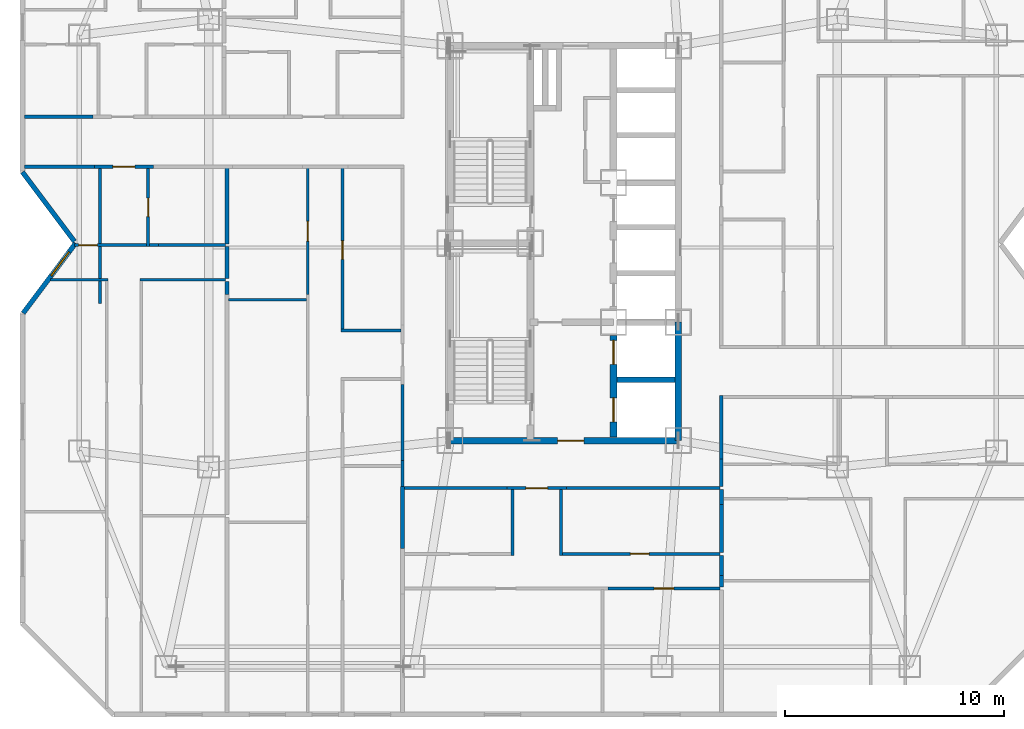
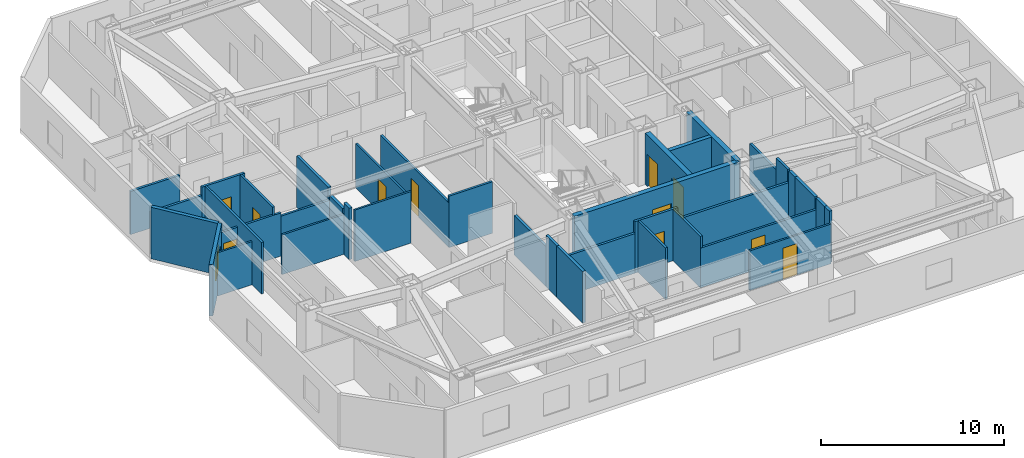
# One storey, part 6 of 11: 38 walls, 11 doors, 1 window, 12 openings.
"""IFC4 building model written with IfcOpenShell, lengths in metres."""

from ifc_helpers import new_model, si_unit, direction, frame, frame_2d, origin, place, context, subcontext, project, spatial, rectangle, extrude, material, layer, layer_set, type_object, element, fill, save


model = new_model("IFC4")

# Units and contexts
model_context = context("Model", 3, precision=1e-05, world=origin(), true_north=direction((0.0, 1.0)))
body_context = subcontext(model_context, "Body", "Model", "MODEL_VIEW")
ifc_project = project(units=[si_unit("LENGTHUNIT", "METRE"), si_unit("AREAUNIT", "SQUARE_METRE"), si_unit("VOLUMEUNIT", "CUBIC_METRE"), si_unit("PLANEANGLEUNIT", "RADIAN"), si_unit("MASSUNIT", "GRAM", prefix="KILO")], contexts=[model_context])

# Site, building, storey
site_placement = place(None, origin())
site = spatial("IfcSite", under=ifc_project, at=site_placement, CompositionType="ELEMENT")
building_placement = place(site_placement, origin())
building = spatial("IfcBuilding", under=site, at=building_placement, Name="Khamvora Tower", CompositionType="ELEMENT")
storey_placement = place(building_placement, frame((0.0, 0.0, 116.5)))
storey = spatial("IfcBuildingStorey", under=building, at=storey_placement, Name="L29", CompositionType="ELEMENT", Elevation=116.5)

# Wall, opening, door
ifc_material_1 = material(Name="Concrete C50/60", Category="concrete")
ifc_layer_1 = layer(ifc_material_1, 0.300048828125)
ifc_layer_set_1 = layer_set([ifc_layer_1], Name="Concrete C50/60")
wall_type_1 = type_object("IfcWallType", Name="WAL-CORE-300", PredefinedType="SHEAR", material=ifc_layer_set_1)
wall_1_placement = place(storey_placement, frame((29.0, 19.0, 0.0), z_axis=(0.0, 0.0, 1.0), x_axis=(1.0, 0.0, 0.0)))
wall_1 = element("IfcWall", 1, at=wall_1_placement, inside=storey, type_object=wall_type_1, Name="L29 central core south wall", PredefinedType="SHEAR", context=body_context, shape_type="SweptSolid", body=[
    extrude(rectangle(XDim=10.39990234375, YDim=0.300048828125, at=frame_2d((5.199951171875, 0.0))), origin(), (0.0, 0.0, 1.0), 3.429931640625),
])
opening_1_placement = place(wall_1_placement, frame((4.89990234375, 0.0, 0.0)))
opening_1 = element("IfcOpeningElement", 2, at=opening_1_placement, cuts=wall_1, Name="Opening D-CR1", PredefinedType="OPENING", context=body_context, shape_type="SweptSolid", body=[
    extrude(rectangle(XDim=1.199951171875, YDim=2.14990234375, at=frame_2d((0.60009765625, 1.074951171875))), frame((0.0, 0.159912109375, 0.0), z_axis=(0.0, -1.0, 0.0), x_axis=(1.0, 0.0, 0.0)), (0.0, 0.0, 1.0), 0.320068359375),
])
ifc_material_2 = material(Name="Powder-Coated Steel and Hardwood Leaf", Category="steel")
door_type_1 = type_object("IfcDoorType", Name="DOR-CORR-1200", OperationType="NOTDEFINED", PredefinedType="DOOR", material=ifc_material_2)
door_1_placement = place(opening_1_placement, origin())
door_1 = element("IfcDoor", 3, at=door_1_placement, inside=storey, type_object=door_type_1, Name="L29 south core lobby to corridor fire door", OperationType="SINGLE_SWING_LEFT", OverallHeight=2.14990234375, OverallWidth=1.199951171875, PredefinedType="DOOR", context=body_context, shape_type="SweptSolid", body=[
    extrude(rectangle(XDim=1.199951171875, YDim=2.14990234375, at=frame_2d((0.60009765625, 1.074951171875))), frame((0.0, 0.02490234375, 0.0), z_axis=(0.0, -1.0, 0.0), x_axis=(1.0, 0.0, 0.0)), (0.0, 0.0, 1.0), 0.050048828125),
])
fill(opening_1, door_1)

# Wall
wall_2_placement = place(storey_placement, frame((39.39990234375, 19.0, 0.0), z_axis=(0.0, 0.0, 1.0), x_axis=(0.0, 1.0, 0.0)))
element("IfcWall", 4, at=wall_2_placement, inside=storey, type_object=wall_type_1, Name="L29 central core east south wall", PredefinedType="SHEAR", context=body_context, shape_type="SweptSolid", body=[
    extrude(rectangle(XDim=5.39990234375, YDim=0.300048828125, at=frame_2d((2.699951171875, 0.0))), origin(), (0.0, 0.0, 1.0), 3.429931640625),
])

# Wall, openings, doors
wall_3_placement = place(storey_placement, frame((36.449951171875, 19.154052734375, 0.0), z_axis=(0.0, 0.0, 1.0), x_axis=(0.0, 1.0, 0.0)))
wall_3 = element("IfcWall", 5, at=wall_3_placement, inside=storey, type_object=wall_type_1, Name="L29 central core lift bank south wall", PredefinedType="SHEAR", context=body_context, shape_type="SweptSolid", body=[
    extrude(rectangle(XDim=4.64599609375, YDim=0.300048828125, at=frame_2d((2.322998046875, 0.0))), origin(), (0.0, 0.0, 1.0), 3.429931640625),
])
opening_2_placement = place(wall_3_placement, frame((0.696044921875, 0.0, 0.0)))
opening_2 = element("IfcOpeningElement", 6, at=opening_2_placement, cuts=wall_3, Name="Opening LD-FFL", PredefinedType="OPENING", context=body_context, shape_type="SweptSolid", body=[
    extrude(rectangle(XDim=1.10009765625, YDim=2.14990234375, at=frame_2d((0.550048828125, 1.074951171875))), frame((0.0, 0.159912109375, 0.0), z_axis=(0.0, -1.0, 0.0), x_axis=(1.0, 0.0, 0.0)), (0.0, 0.0, 1.0), 0.320068359375),
])
opening_3_placement = place(wall_3_placement, frame((3.31591796875, 0.0, 0.0)))
opening_3 = element("IfcOpeningElement", 7, at=opening_3_placement, cuts=wall_3, Name="Opening LD-FFL", PredefinedType="OPENING", context=body_context, shape_type="SweptSolid", body=[
    extrude(rectangle(XDim=1.10009765625, YDim=2.14990234375, at=frame_2d((0.550048828125, 1.074951171875))), frame((0.0, 0.159912109375, 0.0), z_axis=(0.0, -1.0, 0.0), x_axis=(1.0, 0.0, 0.0)), (0.0, 0.0, 1.0), 0.320068359375),
])
door_type_2 = type_object("IfcDoorType", Name="DOR-LIFT-1100", OperationType="SLIDING_TO_LEFT", PredefinedType="DOOR", material=ifc_material_2)
door_2_placement = place(opening_2_placement, origin())
door_2 = element("IfcDoor", 8, at=door_2_placement, inside=storey, type_object=door_type_2, Name="L29 lift landing sliding door FFL-01", OperationType="SLIDING_TO_LEFT", OverallHeight=2.14990234375, OverallWidth=1.10009765625, PredefinedType="DOOR", context=body_context, shape_type="SweptSolid", body=[
    extrude(rectangle(XDim=1.10009765625, YDim=2.14990234375, at=frame_2d((0.550048828125, 1.074951171875))), frame((0.0, 0.02490234375, 0.0), z_axis=(0.0, -1.0, 0.0), x_axis=(1.0, 0.0, 0.0)), (0.0, 0.0, 1.0), 0.050048828125),
])
fill(opening_2, door_2)
door_3_placement = place(opening_3_placement, origin())
door_3 = element("IfcDoor", 9, at=door_3_placement, inside=storey, type_object=door_type_2, Name="L29 lift landing sliding door FFL-02", OperationType="SLIDING_TO_LEFT", OverallHeight=2.14990234375, OverallWidth=1.10009765625, PredefinedType="DOOR", context=body_context, shape_type="SweptSolid", body=[
    extrude(rectangle(XDim=1.10009765625, YDim=2.14990234375, at=frame_2d((0.550048828125, 1.074951171875))), frame((0.0, 0.02490234375, 0.0), z_axis=(0.0, -1.0, 0.0), x_axis=(1.0, 0.0, 0.0)), (0.0, 0.0, 1.0), 0.050048828125),
])
fill(opening_3, door_3)

# Wall, opening, door
ifc_material_3 = material(Name="Fire-Rated Drywall and Steel Stud", Category="steel")
ifc_layer_2 = layer(ifc_material_3, 0.14990234375)
ifc_layer_set_2 = layer_set([ifc_layer_2], Name="Fire-Rated Drywall and Steel Stud")
wall_type_2 = type_object("IfcWallType", Name="WAL-CORR-150", PredefinedType="STANDARD", material=ifc_layer_set_2)
wall_4_placement = place(storey_placement, frame((15.487060546875, 31.485107421875, 0.0), z_axis=(0.0, 0.0, 1.0), x_axis=(-1.0, 0.0, 0.0)))
wall_4 = element("IfcWall", 10, at=wall_4_placement, inside=storey, type_object=wall_type_2, Name="L29 interior partition wall 004", PredefinedType="STANDARD", context=body_context, shape_type="SweptSolid", body=[
    extrude(rectangle(XDim=2.697998046875, YDim=0.14990234375, at=frame_2d((1.34912109375, 0.0))), origin(), (0.0, 0.0, 1.0), 3.429931640625),
])
opening_4_placement = place(wall_4_placement, frame((0.84912109375, 0.0, 0.0)))
opening_4 = element("IfcOpeningElement", 11, at=opening_4_placement, cuts=wall_4, Name="Opening D-U1", PredefinedType="OPENING", context=body_context, shape_type="SweptSolid", body=[
    extrude(rectangle(XDim=1.0, YDim=2.14990234375, at=frame_2d((0.5, 1.074951171875))), frame((0.0, 0.0849609375, 0.0), z_axis=(0.0, -1.0, 0.0), x_axis=(1.0, 0.0, 0.0)), (0.0, 0.0, 1.0), 0.169921875),
])
door_type_3 = type_object("IfcDoorType", Name="DOR-UNIT-1000", OperationType="NOTDEFINED", PredefinedType="DOOR", material=ifc_material_2)
door_4_placement = place(opening_4_placement, origin())
door_4 = element("IfcDoor", 12, at=door_4_placement, inside=storey, type_object=door_type_3, Name="L29 interior door COR-29WA1H", OperationType="SINGLE_SWING_RIGHT", OverallHeight=2.14990234375, OverallWidth=1.0, PredefinedType="DOOR", context=body_context, shape_type="SweptSolid", body=[
    extrude(rectangle(XDim=1.0, YDim=2.14990234375, at=frame_2d((0.5, 1.074951171875))), frame((0.0, 0.02490234375, 0.0), z_axis=(0.0, -1.0, 0.0), x_axis=(1.0, 0.0, 0.0)), (0.0, 0.0, 1.0), 0.050048828125),
])
fill(opening_4, door_4)

# Walls
wall_5_placement = place(storey_placement, frame((12.7890625, 31.485107421875, 0.0), z_axis=(0.0, 0.0, 1.0), x_axis=(-1.0, 0.0, 0.0)))
element("IfcWall", 13, at=wall_5_placement, inside=storey, type_object=wall_type_2, Name="L29 interior partition wall 005", PredefinedType="STANDARD", context=body_context, shape_type="SweptSolid", body=[
    extrude(rectangle(XDim=3.177001953125, YDim=0.14990234375, at=frame_2d((1.58837890625, 0.0))), origin(), (0.0, 0.0, 1.0), 2.8759765625),
])
wall_6_placement = place(storey_placement, frame((26.8349609375, 16.89990234375, 0.0), z_axis=(0.0, 0.0, 1.0), x_axis=(0.0, 1.0, 0.0)))
element("IfcWall", 14, at=wall_6_placement, inside=storey, type_object=wall_type_2, Name="L29 interior partition wall 007", PredefinedType="STANDARD", context=body_context, shape_type="SweptSolid", body=[
    extrude(rectangle(XDim=1.193115234375, YDim=0.14990234375, at=frame_2d((0.5966796875, 0.0))), origin(), (0.0, 0.0, 1.0), 3.429931640625),
])
wall_7_placement = place(storey_placement, frame((26.8349609375, 18.093017578125, 0.0), z_axis=(0.0, 0.0, 1.0), x_axis=(0.0, 1.0, 0.0)))
element("IfcWall", 15, at=wall_7_placement, inside=storey, type_object=wall_type_2, Name="L29 interior partition wall 010", PredefinedType="STANDARD", context=body_context, shape_type="SweptSolid", body=[
    extrude(rectangle(XDim=3.467041015625, YDim=0.14990234375, at=frame_2d((1.7333984375, 0.0))), origin(), (0.0, 0.0, 1.0), 2.64697265625),
])
wall_8_placement = place(storey_placement, frame((9.612060546875, 33.764892578125, 0.0), z_axis=(0.0, 0.0, 1.0), x_axis=(1.0, 0.0, 0.0)))
element("IfcWall", 16, at=wall_8_placement, inside=storey, type_object=wall_type_2, Name="L29 interior partition wall 015", PredefinedType="STANDARD", context=body_context, shape_type="SweptSolid", body=[
    extrude(rectangle(XDim=3.114013671875, YDim=0.14990234375, at=frame_2d((1.55712890625, 0.0))), origin(), (0.0, 0.0, 1.0), 2.8759765625),
])

# Wall, opening, door
wall_9_placement = place(storey_placement, frame((34.299072265625, 16.8349609375, 0.0), z_axis=(0.0, 0.0, 1.0), x_axis=(-1.0, 0.0, 0.0)))
wall_9 = element("IfcWall", 17, at=wall_9_placement, inside=storey, type_object=wall_type_2, Name="L29 interior partition wall 023", PredefinedType="STANDARD", context=body_context, shape_type="SweptSolid", body=[
    extrude(rectangle(XDim=2.697998046875, YDim=0.14990234375, at=frame_2d((1.34912109375, 0.0))), origin(), (0.0, 0.0, 1.0), 3.429931640625),
])
opening_5_placement = place(wall_9_placement, frame((0.84912109375, 0.0, 0.0)))
opening_5 = element("IfcOpeningElement", 18, at=opening_5_placement, cuts=wall_9, Name="Opening D-U1", PredefinedType="OPENING", context=body_context, shape_type="SweptSolid", body=[
    extrude(rectangle(XDim=1.0, YDim=2.14990234375, at=frame_2d((0.5, 1.074951171875))), frame((0.0, 0.0849609375, 0.0), z_axis=(0.0, -1.0, 0.0), x_axis=(1.0, 0.0, 0.0)), (0.0, 0.0, 1.0), 0.169921875),
])
door_5_placement = place(opening_5_placement, origin())
door_5 = element("IfcDoor", 19, at=door_5_placement, inside=storey, type_object=door_type_3, Name="L29 interior door COR-29SAH", OperationType="SINGLE_SWING_RIGHT", OverallHeight=2.14990234375, OverallWidth=1.0, PredefinedType="DOOR", context=body_context, shape_type="SweptSolid", body=[
    extrude(rectangle(XDim=1.0, YDim=2.14990234375, at=frame_2d((0.5, 1.074951171875))), frame((0.0, 0.02490234375, 0.0), z_axis=(0.0, -1.0, 0.0), x_axis=(1.0, 0.0, 0.0)), (0.0, 0.0, 1.0), 0.050048828125),
])
fill(opening_5, door_5)

# Walls
wall_10_placement = place(storey_placement, frame((31.60107421875, 16.8349609375, 0.0), z_axis=(0.0, 0.0, 1.0), x_axis=(-1.0, 0.0, 0.0)))
element("IfcWall", 20, at=wall_10_placement, inside=storey, type_object=wall_type_2, Name="L29 interior partition wall 024", PredefinedType="STANDARD", context=body_context, shape_type="SweptSolid", body=[
    extrude(rectangle(XDim=4.701171875, YDim=0.14990234375, at=frame_2d((2.3505859375, 0.0))), origin(), (0.0, 0.0, 1.0), 2.64697265625),
])
wall_11_placement = place(storey_placement, frame((41.300048828125, 16.8349609375, 0.0), z_axis=(0.0, 0.0, 1.0), x_axis=(-1.0, 0.0, 0.0)))
element("IfcWall", 21, at=wall_11_placement, inside=storey, type_object=wall_type_2, Name="L29 interior partition wall 025", PredefinedType="STANDARD", context=body_context, shape_type="SweptSolid", body=[
    extrude(rectangle(XDim=7.0009765625, YDim=0.14990234375, at=frame_2d((3.50048828125, 0.0))), origin(), (0.0, 0.0, 1.0), 2.64697265625),
])
wall_12_placement = place(storey_placement, frame((41.364990234375, 18.169921875, 0.0), z_axis=(0.0, 0.0, 1.0), x_axis=(0.0, -1.0, 0.0)))
element("IfcWall", 22, at=wall_12_placement, inside=storey, type_object=wall_type_2, Name="L29 interior partition wall 030", PredefinedType="STANDARD", context=body_context, shape_type="SweptSolid", body=[
    extrude(rectangle(XDim=1.27001953125, YDim=0.14990234375, at=frame_2d((0.635009765625, 0.0))), origin(), (0.0, 0.0, 1.0), 3.429931640625),
])
wall_13_placement = place(storey_placement, frame((41.364990234375, 21.050048828125, 0.0), z_axis=(0.0, 0.0, 1.0), x_axis=(0.0, -1.0, 0.0)))
element("IfcWall", 23, at=wall_13_placement, inside=storey, type_object=wall_type_2, Name="L29 interior partition wall 032", PredefinedType="STANDARD", context=body_context, shape_type="SweptSolid", body=[
    extrude(rectangle(XDim=2.880126953125, YDim=0.14990234375, at=frame_2d((1.43994140625, 0.0))), origin(), (0.0, 0.0, 1.0), 2.64697265625),
])
ifc_material_4 = material(Name="Acoustic Double-Stud Fire Wall", Category="gypsum")
ifc_layer_3 = layer(ifc_material_4, 0.179931640625)
ifc_layer_set_3 = layer_set([ifc_layer_3], Name="Acoustic Double-Stud Fire Wall")
wall_type_3 = type_object("IfcWallType", Name="WAL-CORR-180", PredefinedType="STANDARD", material=ifc_layer_set_3)
wall_14_placement = place(storey_placement, frame((18.830078125, 27.840087890625, 0.0), z_axis=(0.0, 0.0, 1.0), x_axis=(0.0, -1.0, 0.0)))
element("IfcWall", 24, at=wall_14_placement, inside=storey, type_object=wall_type_3, Name="L29 interior partition wall 053", PredefinedType="STANDARD", context=body_context, shape_type="SweptSolid", body=[
    extrude(rectangle(XDim=1.4501953125, YDim=0.179931640625, at=frame_2d((0.72509765625, 0.0))), origin(), (0.0, 0.0, 1.0), 2.9609375),
])
wall_15_placement = place(storey_placement, frame((18.830078125, 31.41796875, 0.0), z_axis=(0.0, 0.0, 1.0), x_axis=(0.0, -1.0, 0.0)))
element("IfcWall", 25, at=wall_15_placement, inside=storey, type_object=wall_type_3, Name="L29 interior partition wall 054", PredefinedType="STANDARD", context=body_context, shape_type="SweptSolid", body=[
    extrude(rectangle(XDim=3.447998046875, YDim=0.179931640625, at=frame_2d((1.72412109375, 0.0))), origin(), (0.0, 0.0, 1.0), 3.429931640625),
])
wall_16_placement = place(storey_placement, frame((18.830078125, 26.260009765625, 0.0), z_axis=(0.0, 0.0, 1.0), x_axis=(0.0, -1.0, 0.0)))
element("IfcWall", 26, at=wall_16_placement, inside=storey, type_object=wall_type_3, Name="L29 interior partition wall 059", PredefinedType="STANDARD", context=body_context, shape_type="SweptSolid", body=[
    extrude(rectangle(XDim=0.593017578125, YDim=0.179931640625, at=frame_2d((0.29638671875, 0.0))), origin(), (0.0, 0.0, 1.0), 3.429931640625),
])
wall_17_placement = place(storey_placement, frame((26.8349609375, 16.89990234375, 0.0), z_axis=(0.0, 0.0, 1.0), x_axis=(0.0, -1.0, 0.0)))
element("IfcWall", 27, at=wall_17_placement, inside=storey, type_object=wall_type_3, Name="L29 interior partition wall 063", PredefinedType="STANDARD", context=body_context, shape_type="SweptSolid", body=[
    extrude(rectangle(XDim=2.81298828125, YDim=0.179931640625, at=frame_2d((1.406494140625, 0.0))), origin(), (0.0, 0.0, 1.0), 3.429931640625),
])
wall_18_placement = place(storey_placement, frame((41.364990234375, 12.85400390625, 0.0), z_axis=(0.0, 0.0, 1.0), x_axis=(0.0, -1.0, 0.0)))
element("IfcWall", 28, at=wall_18_placement, inside=storey, type_object=wall_type_3, Name="L29 interior partition wall 103", PredefinedType="STANDARD", context=body_context, shape_type="SweptSolid", body=[
    extrude(rectangle(XDim=0.531005859375, YDim=0.179931640625, at=frame_2d((0.265625, 0.0))), origin(), (0.0, 0.0, 1.0), 3.429931640625),
])
wall_19_placement = place(storey_placement, frame((41.364990234375, 13.77294921875, 0.0), z_axis=(0.0, 0.0, 1.0), x_axis=(0.0, -1.0, 0.0)))
element("IfcWall", 29, at=wall_19_placement, inside=storey, type_object=wall_type_3, Name="L29 interior partition wall 104", PredefinedType="STANDARD", context=body_context, shape_type="SweptSolid", body=[
    extrude(rectangle(XDim=0.9189453125, YDim=0.179931640625, at=frame_2d((0.45947265625, 0.0))), origin(), (0.0, 0.0, 1.0), 3.429931640625),
])
wall_20_placement = place(storey_placement, frame((41.364990234375, 16.77001953125, 0.0), z_axis=(0.0, 0.0, 1.0), x_axis=(0.0, -1.0, 0.0)))
element("IfcWall", 30, at=wall_20_placement, inside=storey, type_object=wall_type_3, Name="L29 interior partition wall 105", PredefinedType="STANDARD", context=body_context, shape_type="SweptSolid", body=[
    extrude(rectangle(XDim=0.677978515625, YDim=0.179931640625, at=frame_2d((0.3388671875, 0.0))), origin(), (0.0, 0.0, 1.0), 3.429931640625),
])
wall_21_placement = place(storey_placement, frame((41.364990234375, 16.092041015625, 0.0), z_axis=(0.0, 0.0, 1.0), x_axis=(0.0, -1.0, 0.0)))
element("IfcWall", 31, at=wall_21_placement, inside=storey, type_object=wall_type_3, Name="L29 interior partition wall 106", PredefinedType="STANDARD", context=body_context, shape_type="SweptSolid", body=[
    extrude(rectangle(XDim=2.18896484375, YDim=0.179931640625, at=frame_2d((1.094482421875, 0.0))), origin(), (0.0, 0.0, 1.0), 3.429931640625),
])

# Wall, opening, window
ifc_material_5 = material(Name="Precast concrete C40/50", Category="concrete")
ifc_layer_4 = layer(ifc_material_5, 0.219970703125)
ifc_layer_set_4 = layer_set([ifc_layer_4], Name="Precast concrete C40/50")
wall_type_4 = type_object("IfcWallType", Name="WAL-EXT-220", PredefinedType="STANDARD", material=ifc_layer_set_4)
wall_22_placement = place(storey_placement, frame((9.5439453125, 24.80810546875, 0.0), z_axis=(0.0, 0.0, 1.0), x_axis=(0.600019580308, 0.799985314394, 0.0)))
wall_22 = element("IfcWall", 32, at=wall_22_placement, inside=storey, type_object=wall_type_4, Name="L29 exterior facade wall 03.1", PredefinedType="STANDARD", context=body_context, shape_type="SweptSolid", body=[
    extrude(rectangle(XDim=3.989990234375, YDim=0.219970703125, at=frame_2d((1.9951171875, 0.0))), origin(), (0.0, 0.0, 1.0), 3.429931640625),
])
opening_6_placement = place(wall_22_placement, frame((2.134033203125, 0.0, 0.85009765625)))
opening_6 = element("IfcOpeningElement", 33, at=opening_6_placement, cuts=wall_22, Name="Opening WN-07", PredefinedType="OPENING", context=body_context, shape_type="SweptSolid", body=[
    extrude(rectangle(XDim=1.35009765625, YDim=1.5, at=frame_2d((0.675048828125, 0.75))), frame((0.0, 0.119873046875, 0.0), z_axis=(0.0, -1.0, 0.0), x_axis=(1.0, 0.0, 0.0)), (0.0, 0.0, 1.0), 0.239990234375),
])
ifc_material_6 = material(Name="Low-E Laminated Double Glazing", Category="glass")
window_type = type_object("IfcWindowType", Name="WIN-VIS-1350x1500", PartitioningType="SINGLE_PANEL", PredefinedType="WINDOW", material=ifc_material_6)
window_placement = place(opening_6_placement, origin())
window = element("IfcWindow", 34, at=window_placement, inside=storey, type_object=window_type, Name="L29 vision window 03.1.01", OverallHeight=1.5, OverallWidth=1.35009765625, PartitioningType="SINGLE_PANEL", PredefinedType="WINDOW", context=body_context, shape_type="SweptSolid", body=[
    extrude(rectangle(XDim=1.35009765625, YDim=1.5, at=frame_2d((0.675048828125, 0.75))), frame((0.0, 0.030029296875, 0.0), z_axis=(0.0, -1.0, 0.0), x_axis=(1.0, 0.0, 0.0)), (0.0, 0.0, 1.0), 0.06005859375),
])
fill(opening_6, window)

# Walls
wall_23_placement = place(storey_placement, frame((11.881103515625, 28.076904296875, 0.0), z_axis=(0.0, 0.0, 1.0), x_axis=(-0.600158184825, 0.799881336942, 0.0)))
element("IfcWall", 35, at=wall_23_placement, inside=storey, type_object=wall_type_4, Name="L29 exterior facade wall 04.1", PredefinedType="STANDARD", context=body_context, shape_type="SweptSolid", body=[
    extrude(rectangle(XDim=3.95068359375, YDim=0.219970703125, at=frame_2d((1.975341796875, 0.0))), origin(), (0.0, 0.0, 1.0), 3.429931640625),
])
ifc_material_7 = material(Name="Gypsum Plasterboard Partition", Category="gypsum")
ifc_layer_5 = layer(ifc_material_7, 0.1201171875)
ifc_layer_set_5 = layer_set([ifc_layer_5], Name="Gypsum Plasterboard Partition")
wall_type_5 = type_object("IfcWallType", Name="WAL-PART-120", PredefinedType="PARTITIONING", material=ifc_layer_set_5)
wall_24_placement = place(storey_placement, frame((13.41796875, 26.324951171875, 0.0), z_axis=(0.0, 0.0, 1.0), x_axis=(-1.0, 0.0, 0.0)))
element("IfcWall", 36, at=wall_24_placement, inside=storey, type_object=wall_type_5, Name="L29 interior partition wall 049", PredefinedType="PARTITIONING", context=body_context, shape_type="SweptSolid", body=[
    extrude(rectangle(XDim=2.625, YDim=0.1201171875, at=frame_2d((1.3125, 0.0))), origin(), (0.0, 0.0, 1.0), 2.8759765625),
])
wall_25_placement = place(storey_placement, frame((18.764892578125, 26.324951171875, 0.0), z_axis=(0.0, 0.0, 1.0), x_axis=(-1.0, 0.0, 0.0)))
element("IfcWall", 37, at=wall_25_placement, inside=storey, type_object=wall_type_5, Name="L29 interior partition wall 051", PredefinedType="PARTITIONING", context=body_context, shape_type="SweptSolid", body=[
    extrude(rectangle(XDim=3.906982421875, YDim=0.1201171875, at=frame_2d((1.95361328125, 0.0))), origin(), (0.0, 0.0, 1.0), 2.64697265625),
])

# Wall, opening, door
wall_26_placement = place(storey_placement, frame((22.51806640625, 25.6669921875, 0.0), z_axis=(0.0, 0.0, 1.0), x_axis=(0.0, 1.0, 0.0)))
wall_26 = element("IfcWall", 38, at=wall_26_placement, inside=storey, type_object=wall_type_5, Name="L29 interior partition wall 071", PredefinedType="PARTITIONING", context=body_context, shape_type="SweptSolid", body=[
    extrude(rectangle(XDim=5.7509765625, YDim=0.1201171875, at=frame_2d((2.87548828125, 0.0))), origin(), (0.0, 0.0, 1.0), 2.9609375),
])
opening_7_placement = place(wall_26_placement, frame((2.425048828125, 0.0, 0.0)))
opening_7 = element("IfcOpeningElement", 39, at=opening_7_placement, cuts=wall_26, Name="Opening D-RM1", PredefinedType="OPENING", context=body_context, shape_type="SweptSolid", body=[
    extrude(rectangle(XDim=0.89990234375, YDim=2.10009765625, at=frame_2d((0.449951171875, 1.050048828125))), frame((0.0, 0.070068359375, 0.0), z_axis=(0.0, -1.0, 0.0), x_axis=(1.0, 0.0, 0.0)), (0.0, 0.0, 1.0), 0.14013671875),
])
door_type_4 = type_object("IfcDoorType", Name="DOR-ROOM-900", OperationType="NOTDEFINED", PredefinedType="DOOR", material=ifc_material_2)
door_6_placement = place(opening_7_placement, origin())
door_6 = element("IfcDoor", 40, at=door_6_placement, inside=storey, type_object=door_type_4, Name="L29 interior door 29WA2H-29WA2R3", OperationType="SINGLE_SWING_LEFT", OverallHeight=2.10009765625, OverallWidth=0.89990234375, PredefinedType="DOOR", context=body_context, shape_type="SweptSolid", body=[
    extrude(rectangle(XDim=0.89990234375, YDim=2.10009765625, at=frame_2d((0.449951171875, 1.050048828125))), frame((0.0, 0.02490234375, 0.0), z_axis=(0.0, -1.0, 0.0), x_axis=(1.0, 0.0, 0.0)), (0.0, 0.0, 1.0), 0.050048828125),
])
fill(opening_7, door_6)

# Wall
wall_27_placement = place(storey_placement, frame((18.912109375, 25.41796875, 0.0), z_axis=(0.0, 0.0, 1.0), x_axis=(1.0, 0.0, 0.0)))
element("IfcWall", 41, at=wall_27_placement, inside=storey, type_object=wall_type_5, Name="L29 interior partition wall 073", PredefinedType="PARTITIONING", context=body_context, shape_type="SweptSolid", body=[
    extrude(rectangle(XDim=3.552001953125, YDim=0.1201171875, at=frame_2d((1.77587890625, 0.0))), origin(), (0.0, 0.0, 1.0), 3.429931640625),
])

# Wall, opening, door
wall_28_placement = place(storey_placement, frame((41.300048828125, 12.258056640625, 0.0), z_axis=(0.0, 0.0, 1.0), x_axis=(-1.0, 0.0, 0.0)))
wall_28 = element("IfcWall", 42, at=wall_28_placement, inside=storey, type_object=wall_type_5, Name="L29 interior partition wall 102", PredefinedType="PARTITIONING", context=body_context, shape_type="SweptSolid", body=[
    extrude(rectangle(XDim=5.10400390625, YDim=0.1201171875, at=frame_2d((2.552001953125, 0.0))), origin(), (0.0, 0.0, 1.0), 2.64697265625),
])
opening_8_placement = place(wall_28_placement, frame((2.10205078125, 0.0, 0.0)))
opening_8 = element("IfcOpeningElement", 43, at=opening_8_placement, cuts=wall_28, Name="Opening D-RM1", PredefinedType="OPENING", context=body_context, shape_type="SweptSolid", body=[
    extrude(rectangle(XDim=0.89990234375, YDim=2.10009765625, at=frame_2d((0.449951171875, 1.050048828125))), frame((0.0, 0.070068359375, 0.0), z_axis=(0.0, -1.0, 0.0), x_axis=(1.0, 0.0, 0.0)), (0.0, 0.0, 1.0), 0.14013671875),
])
door_7_placement = place(opening_8_placement, origin())
door_7 = element("IfcDoor", 44, at=door_7_placement, inside=storey, type_object=door_type_4, Name="L29 interior door 29SAH-29SAR2", OperationType="SINGLE_SWING_LEFT", OverallHeight=2.10009765625, OverallWidth=0.89990234375, PredefinedType="DOOR", context=body_context, shape_type="SweptSolid", body=[
    extrude(rectangle(XDim=0.89990234375, YDim=2.10009765625, at=frame_2d((0.449951171875, 1.050048828125))), frame((0.0, 0.02490234375, 0.0), z_axis=(0.0, -1.0, 0.0), x_axis=(1.0, 0.0, 0.0)), (0.0, 0.0, 1.0), 0.050048828125),
])
fill(opening_8, door_7)

# Wall
ifc_material_8 = material(Name="Concrete C40/50", Category="concrete")
ifc_layer_6 = layer(ifc_material_8, 0.25)
ifc_layer_set_6 = layer_set([ifc_layer_6], Name="Concrete C40/50")
wall_type_6 = type_object("IfcWallType", Name="WAL-PODS-250", PredefinedType="SHEAR", material=ifc_layer_set_6)
wall_29_placement = place(storey_placement, frame((36.60400390625, 21.77490234375, 0.0), z_axis=(0.0, 0.0, 1.0), x_axis=(1.0, 0.0, 0.0)))
element("IfcWall", 45, at=wall_29_placement, inside=storey, type_object=wall_type_6, Name="L29 lift shaft divider wall FFL-01", PredefinedType="SHEAR", context=body_context, shape_type="SweptSolid", body=[
    extrude(rectangle(XDim=2.64208984375, YDim=0.25, at=frame_2d((1.321044921875, 0.0))), origin(), (0.0, 0.0, 1.0), 3.429931640625),
])

# Wall, opening, door
ifc_material_9 = material(Name="Moisture-Resistant Plasterboard Partition", Category="gypsum")
ifc_layer_7 = layer(ifc_material_9, 0.135009765625)
ifc_layer_set_7 = layer_set([ifc_layer_7], Name="Moisture-Resistant Plasterboard Partition")
wall_type_7 = type_object("IfcWallType", Name="WAL-WET-135", PredefinedType="PARTITIONING", material=ifc_layer_set_7)
wall_30_placement = place(storey_placement, frame((11.881103515625, 27.905029296875, 0.0), z_axis=(0.0, 0.0, 1.0), x_axis=(1.0, 0.0, 0.0)))
wall_30 = element("IfcWall", 46, at=wall_30_placement, inside=storey, type_object=wall_type_7, Name="L29 interior partition wall 043", PredefinedType="PARTITIONING", context=body_context, shape_type="SweptSolid", body=[
    extrude(rectangle(XDim=3.82177734375, YDim=0.135009765625, at=frame_2d((1.910888671875, 0.0))), origin(), (0.0, 0.0, 1.0), 2.8759765625),
])
opening_9_placement = place(wall_30_placement, frame((0.194091796875, 0.0, 0.0)))
opening_9 = element("IfcOpeningElement", 47, at=opening_9_placement, cuts=wall_30, Name="Opening D-WC1", PredefinedType="OPENING", context=body_context, shape_type="SweptSolid", body=[
    extrude(rectangle(XDim=0.85009765625, YDim=2.10009765625, at=frame_2d((0.425048828125, 1.050048828125))), frame((0.0, 0.077392578125, 0.0), z_axis=(0.0, -1.0, 0.0), x_axis=(1.0, 0.0, 0.0)), (0.0, 0.0, 1.0), 0.155029296875),
])
door_type_5 = type_object("IfcDoorType", Name="DOR-WET-850", OperationType="NOTDEFINED", PredefinedType="DOOR", material=ifc_material_2)
door_8_placement = place(opening_9_placement, origin())
door_8 = element("IfcDoor", 48, at=door_8_placement, inside=storey, type_object=door_type_5, Name="L29 interior door 29WA1H-29WA1B", OperationType="SINGLE_SWING_RIGHT", OverallHeight=2.10009765625, OverallWidth=0.85009765625, PredefinedType="DOOR", context=body_context, shape_type="SweptSolid", body=[
    extrude(rectangle(XDim=0.85009765625, YDim=2.10009765625, at=frame_2d((0.425048828125, 1.050048828125))), frame((0.0, 0.02490234375, 0.0), z_axis=(0.0, -1.0, 0.0), x_axis=(1.0, 0.0, 0.0)), (0.0, 0.0, 1.0), 0.050048828125),
])
fill(opening_9, door_8)

# Wall
wall_31_placement = place(storey_placement, frame((13.0380859375, 25.239990234375, 0.0), z_axis=(0.0, 0.0, 1.0), x_axis=(0.0, 1.0, 0.0)))
element("IfcWall", 49, at=wall_31_placement, inside=storey, type_object=wall_type_7, Name="L29 interior partition wall 044", PredefinedType="PARTITIONING", context=body_context, shape_type="SweptSolid", body=[
    extrude(rectangle(XDim=6.177978515625, YDim=0.135009765625, at=frame_2d((3.0888671875, 0.0))), origin(), (0.0, 0.0, 1.0), 3.429931640625),
])

# Wall, opening, door
wall_32_placement = place(storey_placement, frame((15.238037109375, 31.41796875, 0.0), z_axis=(0.0, 0.0, 1.0), x_axis=(0.0, -1.0, 0.0)))
wall_32 = element("IfcWall", 50, at=wall_32_placement, inside=storey, type_object=wall_type_7, Name="L29 interior partition wall 045", PredefinedType="PARTITIONING", context=body_context, shape_type="SweptSolid", body=[
    extrude(rectangle(XDim=3.577880859375, YDim=0.135009765625, at=frame_2d((1.7890625, 0.0))), origin(), (0.0, 0.0, 1.0), 3.429931640625),
])
opening_10_placement = place(wall_32_placement, frame((1.364013671875, 0.0, 0.0)))
opening_10 = element("IfcOpeningElement", 51, at=opening_10_placement, cuts=wall_32, Name="Opening D-RM2", PredefinedType="OPENING", context=body_context, shape_type="SweptSolid", body=[
    extrude(rectangle(XDim=0.85009765625, YDim=2.10009765625, at=frame_2d((0.425048828125, 1.050048828125))), frame((0.0, 0.077392578125, 0.0), z_axis=(0.0, -1.0, 0.0), x_axis=(1.0, 0.0, 0.0)), (0.0, 0.0, 1.0), 0.155029296875),
])
door_type_6 = type_object("IfcDoorType", Name="DOR-ROOM-850", OperationType="NOTDEFINED", PredefinedType="DOOR", material=ifc_material_2)
door_9_placement = place(opening_10_placement, origin())
door_9 = element("IfcDoor", 52, at=door_9_placement, inside=storey, type_object=door_type_6, Name="L29 interior door 29WA1H-29WA1K", OperationType="SINGLE_SWING_LEFT", OverallHeight=2.10009765625, OverallWidth=0.85009765625, PredefinedType="DOOR", context=body_context, shape_type="SweptSolid", body=[
    extrude(rectangle(XDim=0.85009765625, YDim=2.10009765625, at=frame_2d((0.425048828125, 1.050048828125))), frame((0.0, 0.02490234375, 0.0), z_axis=(0.0, -1.0, 0.0), x_axis=(1.0, 0.0, 0.0)), (0.0, 0.0, 1.0), 0.050048828125),
])
fill(opening_10, door_9)

# Wall
wall_33_placement = place(storey_placement, frame((15.702880859375, 27.905029296875, 0.0), z_axis=(0.0, 0.0, 1.0), x_axis=(1.0, 0.0, 0.0)))
element("IfcWall", 53, at=wall_33_placement, inside=storey, type_object=wall_type_7, Name="L29 interior partition wall 046", PredefinedType="PARTITIONING", context=body_context, shape_type="SweptSolid", body=[
    extrude(rectangle(XDim=3.06201171875, YDim=0.135009765625, at=frame_2d((1.531005859375, 0.0))), origin(), (0.0, 0.0, 1.0), 2.64697265625),
])

# Wall, opening, door
wall_34_placement = place(storey_placement, frame((24.097900390625, 31.41796875, 0.0), z_axis=(0.0, 0.0, 1.0), x_axis=(0.0, -1.0, 0.0)))
wall_34 = element("IfcWall", 54, at=wall_34_placement, inside=storey, type_object=wall_type_7, Name="L29 interior partition wall 067", PredefinedType="PARTITIONING", context=body_context, shape_type="SweptSolid", body=[
    extrude(rectangle(XDim=7.473876953125, YDim=0.135009765625, at=frame_2d((3.73681640625, 0.0))), origin(), (0.0, 0.0, 1.0), 2.9609375),
])
opening_11_placement = place(wall_34_placement, frame((3.31201171875, 0.0, 0.0)))
opening_11 = element("IfcOpeningElement", 55, at=opening_11_placement, cuts=wall_34, Name="Opening D-RM2", PredefinedType="OPENING", context=body_context, shape_type="SweptSolid", body=[
    extrude(rectangle(XDim=0.85009765625, YDim=2.10009765625, at=frame_2d((0.425048828125, 1.050048828125))), frame((0.0, 0.077392578125, 0.0), z_axis=(0.0, -1.0, 0.0), x_axis=(1.0, 0.0, 0.0)), (0.0, 0.0, 1.0), 0.155029296875),
])
door_10_placement = place(opening_11_placement, origin())
door_10 = element("IfcDoor", 56, at=door_10_placement, inside=storey, type_object=door_type_6, Name="L29 interior door 29WA2H-29WA2K", OperationType="SINGLE_SWING_RIGHT", OverallHeight=2.10009765625, OverallWidth=0.85009765625, PredefinedType="DOOR", context=body_context, shape_type="SweptSolid", body=[
    extrude(rectangle(XDim=0.85009765625, YDim=2.10009765625, at=frame_2d((0.425048828125, 1.050048828125))), frame((0.0, 0.02490234375, 0.0), z_axis=(0.0, -1.0, 0.0), x_axis=(1.0, 0.0, 0.0)), (0.0, 0.0, 1.0), 0.050048828125),
])
fill(opening_11, door_10)

# Walls
wall_35_placement = place(storey_placement, frame((24.032958984375, 24.009033203125, 0.0), z_axis=(0.0, 0.0, 1.0), x_axis=(1.0, 0.0, 0.0)))
element("IfcWall", 57, at=wall_35_placement, inside=storey, type_object=wall_type_7, Name="L29 interior partition wall 068", PredefinedType="PARTITIONING", context=body_context, shape_type="SweptSolid", body=[
    extrude(rectangle(XDim=2.737060546875, YDim=0.135009765625, at=frame_2d((1.36865234375, 0.0))), origin(), (0.0, 0.0, 1.0), 3.429931640625),
])
for number, where, z_axis, x_axis, name in (
    (58, (31.85009765625, 13.77294921875, 0.0), (0.0, 0.0, 1.0), (0.0, 1.0, 0.0), "L29 interior partition wall 098"),
    (59, (34.050048828125, 16.77001953125, 0.0), (0.0, 0.0, 1.0), (0.0, -1.0, 0.0), "L29 interior partition wall 099"),
):
    element("IfcWall", number, at=place(storey_placement, frame(where, z_axis=z_axis, x_axis=x_axis)), inside=storey, type_object=wall_type_7, Name=name, PredefinedType="PARTITIONING", context=body_context, shape_type="SweptSolid", body=[
        extrude(rectangle(XDim=2.9970703125, YDim=0.135009765625, at=frame_2d((1.49853515625, 0.0))), origin(), (0.0, 0.0, 1.0), 3.429931640625),
    ])

# Wall, opening, door
wall_36_placement = place(storey_placement, frame((33.985107421875, 13.837890625, 0.0), z_axis=(0.0, 0.0, 1.0), x_axis=(1.0, 0.0, 0.0)))
wall_36 = element("IfcWall", 60, at=wall_36_placement, inside=storey, type_object=wall_type_7, Name="L29 interior partition wall 100", PredefinedType="PARTITIONING", context=body_context, shape_type="SweptSolid", body=[
    extrude(rectangle(XDim=7.31494140625, YDim=0.135009765625, at=frame_2d((3.657470703125, 0.0))), origin(), (0.0, 0.0, 1.0), 2.64697265625),
])
opening_12_placement = place(wall_36_placement, frame((3.23291015625, 0.0, 0.0)))
opening_12 = element("IfcOpeningElement", 61, at=opening_12_placement, cuts=wall_36, Name="Opening D-RM2", PredefinedType="OPENING", context=body_context, shape_type="SweptSolid", body=[
    extrude(rectangle(XDim=0.85009765625, YDim=2.10009765625, at=frame_2d((0.425048828125, 1.050048828125))), frame((0.0, 0.077392578125, 0.0), z_axis=(0.0, -1.0, 0.0), x_axis=(1.0, 0.0, 0.0)), (0.0, 0.0, 1.0), 0.155029296875),
])
door_11_placement = place(opening_12_placement, origin())
door_11 = element("IfcDoor", 62, at=door_11_placement, inside=storey, type_object=door_type_6, Name="L29 interior door 29SAH-29SAK", OperationType="SINGLE_SWING_LEFT", OverallHeight=2.10009765625, OverallWidth=0.85009765625, PredefinedType="DOOR", context=body_context, shape_type="SweptSolid", body=[
    extrude(rectangle(XDim=0.85009765625, YDim=2.10009765625, at=frame_2d((0.425048828125, 1.050048828125))), frame((0.0, 0.02490234375, 0.0), z_axis=(0.0, -1.0, 0.0), x_axis=(1.0, 0.0, 0.0)), (0.0, 0.0, 1.0), 0.050048828125),
])
fill(opening_12, door_11)

save(model, "model.ifc")
